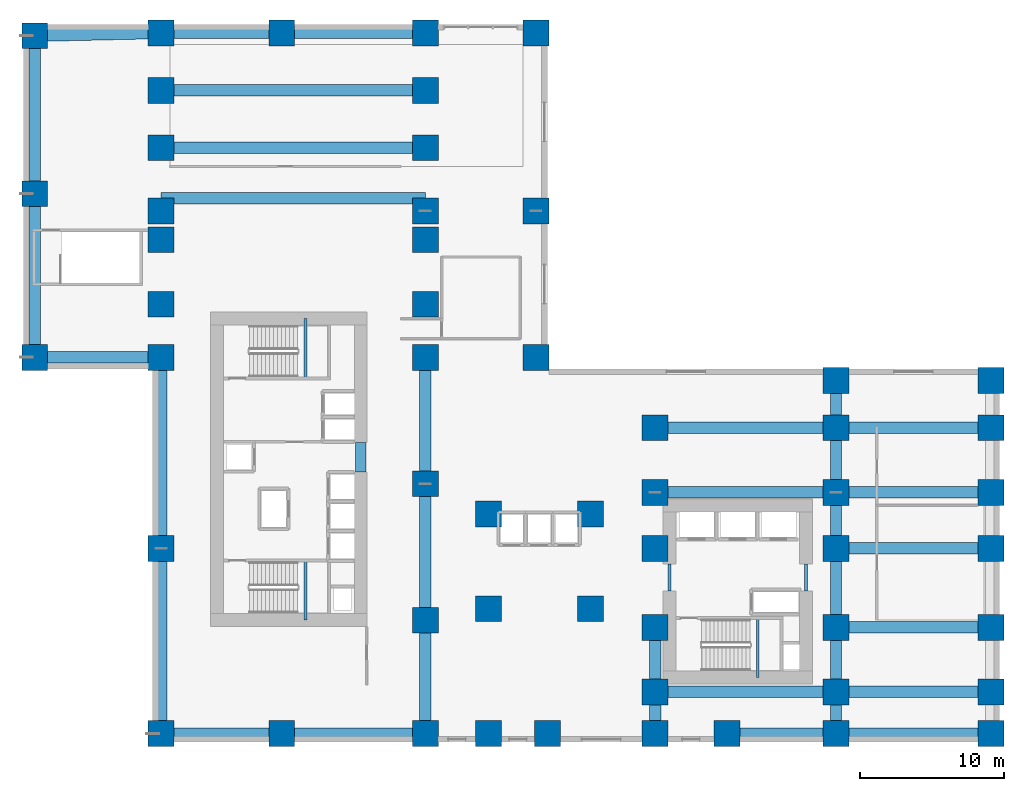
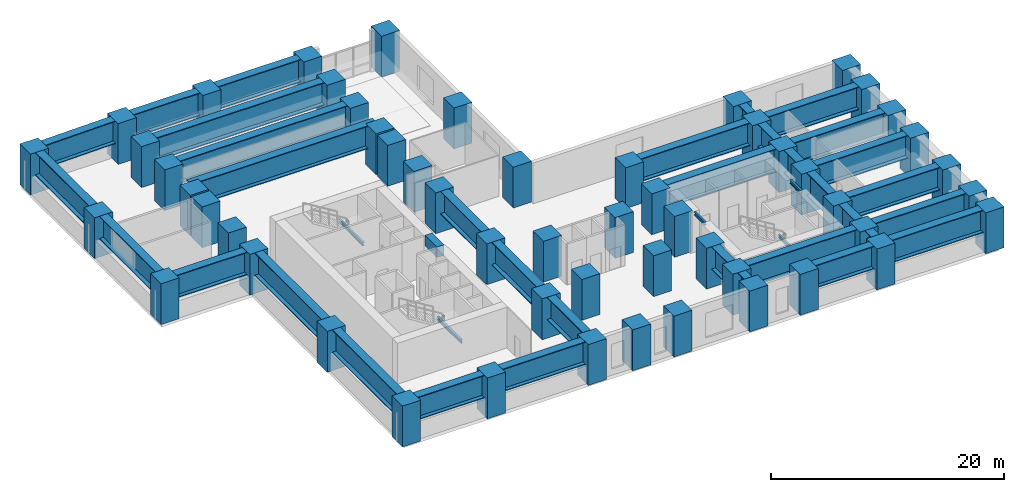
# One storey, part 1 of 12: 54 columns, 36 beams.
"""IFC4 building model written with IfcOpenShell, lengths in metres."""

import ifcopenshell
import ifcopenshell.guid

model = None  # the IFC model being written
_history = None  # IfcOwnerHistory: only IFC2X3 demands one
_inside = {}  # id of a spatial element -> (the spatial element, [elements in it])
_under = {}  # id of a project, library or spatial element -> (it, [spatial elements below it])
_declared = {}  # id of a project -> (the project, [libraries it declares])
_typed = {}  # id of a type object -> (the type object, [elements of that type])
_made_of = {}  # id of a material, layer set ... -> (it, [elements and type objects made of it])


def new_model(schema):
    """Start an empty IFC model of exactly this schema.

    Asked for "IFC4X3", IfcOpenShell would pick the latest addendum, in which some entities
    have other attributes; the version numbers below select the first issue.
    IFC2X3 requires an IfcOwnerHistory on every rooted entity: one is made here for all.
    """
    global model, _history
    if schema == "IFC4X3":
        model = ifcopenshell.file(schema_version=(4, 3, 0, 0))
    else:
        model = ifcopenshell.file(schema=schema)
    _inside.clear()
    _under.clear()
    _declared.clear()
    _typed.clear()
    _made_of.clear()
    _history = None
    if model.schema == "IFC2X3":
        org = make("IfcOrganization", Name="unknown")
        user = make(
            "IfcPersonAndOrganization",
            ThePerson=make("IfcPerson", FamilyName="unknown"),
            TheOrganization=org,
        )
        app = make(
            "IfcApplication",
            ApplicationDeveloper=org,
            Version="unknown",
            ApplicationFullName="unknown",
            ApplicationIdentifier="unknown",
        )
        _history = make(
            "IfcOwnerHistory",
            OwningUser=user,
            OwningApplication=app,
            ChangeAction="ADDED",
            CreationDate=0,
        )
    return model


def make(cls, **values):
    """One entity of the class cls with the attributes given. An attribute that is None is left unset."""
    return model.create_entity(
        cls, **{name: value for name, value in values.items() if value is not None}
    )


def rooted(cls, **values):
    """An entity with a GlobalId (a new one), such as an element, a storey or a relation."""
    return make(cls, GlobalId=ifcopenshell.guid.new(), OwnerHistory=_history, **values)


def si_unit(unit_type, name, prefix=None):
    """IfcSIUnit, for example si_unit("LENGTHUNIT", "METRE", prefix="MILLI")."""
    return make("IfcSIUnit", UnitType=unit_type, Prefix=prefix, Name=name)


def assignment(units):
    """IfcUnitAssignment: the units of a project."""
    return None if units is None else make("IfcUnitAssignment", Units=units)


def point(xyz):
    """IfcCartesianPoint."""
    return None if xyz is None else make("IfcCartesianPoint", Coordinates=xyz)


def direction(xyz):
    """IfcDirection."""
    return None if xyz is None else make("IfcDirection", DirectionRatios=xyz)


def frame(location, z_axis=None, x_axis=None):
    """IfcAxis2Placement3D, a coordinate frame: its origin and axes. An axis left out is left unset."""
    return make(
        "IfcAxis2Placement3D",
        Location=point(location),
        Axis=direction(z_axis),
        RefDirection=direction(x_axis),
    )


def frame_2d(location, x_axis=None):
    """IfcAxis2Placement2D, a coordinate frame in the plane: its origin and x axis."""
    return make(
        "IfcAxis2Placement2D", Location=point(location), RefDirection=direction(x_axis)
    )


def origin():
    """The frame at (0, 0, 0) with its axes left unset."""
    return frame((0.0, 0.0, 0.0))


def origin_2d():
    """The frame at (0, 0) in the plane with its x axis left unset."""
    return frame_2d((0.0, 0.0))


def place(relative_to, where):
    """IfcLocalPlacement: puts the frame where relative to a parent placement (None: the world)."""
    return make(
        "IfcLocalPlacement", PlacementRelTo=relative_to, RelativePlacement=where
    )


def context(
    kind, dimensions, precision=None, world=None, true_north=None, identifier=None
):
    """IfcGeometricRepresentationContext, for example the 3D "Model" context."""
    return make(
        "IfcGeometricRepresentationContext",
        ContextIdentifier=identifier,
        ContextType=kind,
        CoordinateSpaceDimension=dimensions,
        Precision=precision,
        WorldCoordinateSystem=world,
        TrueNorth=true_north,
    )


def subcontext(parent, identifier, kind, view, scale=None):
    """IfcGeometricRepresentationSubContext, for example "Body" below "Model"."""
    return make(
        "IfcGeometricRepresentationSubContext",
        ContextIdentifier=identifier,
        ContextType=kind,
        ParentContext=parent,
        TargetScale=scale,
        TargetView=view,
    )


def project(units=None, contexts=None):
    """IfcProject with its units and contexts."""
    return rooted(
        "IfcProject",
        Name="project",
        RepresentationContexts=contexts,
        UnitsInContext=assignment(units),
    )


def spatial(cls, under=None, at=None, **own):
    """A site, building, storey or space (cls), placed at a placement, below another one or the project."""
    s = rooted(cls, ObjectPlacement=at, **own)
    if under is not None:
        _under.setdefault(under.id(), (under, []))[1].append(s)
    return s


def profile(cls, at=None, kind="AREA", **sizes):
    """A parametric profile (cls). Its sizes go by their IFC names, for example OverallWidth=200.0."""
    return make(cls, ProfileType=kind, Position=at, **sizes)


def rectangle(**sizes):
    """IfcRectangleProfileDef."""
    return profile("IfcRectangleProfileDef", **sizes)


def i_section(**sizes):
    """IfcIShapeProfileDef."""
    return profile("IfcIShapeProfileDef", **sizes)


def extrude(swept, where, along, depth):
    """IfcExtrudedAreaSolid: the profile swept, set in the frame where, extruded along a direction by depth."""
    return make(
        "IfcExtrudedAreaSolid",
        SweptArea=swept,
        Position=where,
        ExtrudedDirection=direction(along),
        Depth=depth,
    )


def shape(context_of_items, identifier, shape_type, items):
    """IfcShapeRepresentation: the items that make up one representation, for example the "Body"."""
    return make(
        "IfcShapeRepresentation",
        ContextOfItems=context_of_items,
        RepresentationIdentifier=identifier,
        RepresentationType=shape_type,
        Items=items,
    )


def source(mapping_origin, context_of_items, identifier, shape_type, items):
    """IfcRepresentationMap: a shape defined once, which mapped items show again and again."""
    return make(
        "IfcRepresentationMap",
        MappingOrigin=mapping_origin,
        MappedRepresentation=shape(context_of_items, identifier, shape_type, items),
    )


def transform(
    local_origin,
    x_axis=None,
    y_axis=None,
    z_axis=None,
    scale=None,
    scale2=None,
    scale3=None,
    uniform=True,
):
    """IfcCartesianTransformationOperator3D, or its non-uniform kind. x_axis, y_axis, z_axis: its Axis1, 2, 3."""
    if uniform:
        return make(
            "IfcCartesianTransformationOperator3D",
            Axis1=direction(x_axis),
            Axis2=direction(y_axis),
            LocalOrigin=point(local_origin),
            Scale=scale,
            Axis3=direction(z_axis),
        )
    return make(
        "IfcCartesianTransformationOperator3DnonUniform",
        Axis1=direction(x_axis),
        Axis2=direction(y_axis),
        LocalOrigin=point(local_origin),
        Scale=scale,
        Axis3=direction(z_axis),
        Scale2=scale2,
        Scale3=scale3,
    )


def mapped(mapping_source, mapping_target):
    """IfcMappedItem: shows the shape of a source again, moved by a transform."""
    return make(
        "IfcMappedItem", MappingSource=mapping_source, MappingTarget=mapping_target
    )


def material(Name=None, Category=None):
    """IfcMaterial."""
    return make("IfcMaterial", Name=Name, Category=Category)


def material_profile(
    of_material, cross_section, Name=None, Category=None, Priority=None
):
    """IfcMaterialProfile: a cross section and its material."""
    return make(
        "IfcMaterialProfile",
        Name=Name,
        Material=of_material,
        Profile=cross_section,
        Priority=Priority,
        Category=Category,
    )


def profile_set(profiles, Name=None, composite=None):
    """IfcMaterialProfileSet."""
    return make(
        "IfcMaterialProfileSet",
        Name=Name,
        MaterialProfiles=profiles,
        CompositeProfile=composite,
    )


def made_of(thing, what):
    """Note that an element or type object is made of a material, layer set ...; save() writes the relation."""
    if what is not None:
        _made_of.setdefault(what.id(), (what, []))[1].append(thing)
    return thing


def type_object(cls, material=None, **own):
    """A type object (cls), such as IfcWallType, which elements share."""
    return made_of(rooted(cls, **own), material)


def element(
    cls,
    number,
    at=None,
    inside=None,
    cuts=None,
    type_object=None,
    material=None,
    context=None,
    identifier="Body",
    shape_type=None,
    held_by="IfcProductDefinitionShape",
    body=None,
    shapes=None,
    **own,
):
    """One element of the class cls, such as IfcWall. Its Tag is "e" and its number.

    at: its placement. inside: the storey or other place that contains it. cuts: it is an
    opening in that element (IfcRelVoidsElement). A single representation is given by context,
    identifier, shape_type and body (its items); several are given by shapes. held_by: the class
    of the entity that holds the representations. save() writes the other relations.
    """
    e = rooted(cls, Tag="e%d" % number, ObjectPlacement=at, **own)
    if body is not None:
        shapes = [shape(context, identifier, shape_type, body)]
    if shapes is not None:
        e.Representation = make(held_by, Representations=shapes)
    if inside is not None:
        _inside.setdefault(inside.id(), (inside, []))[1].append(e)
    if cuts is not None:
        rooted(
            "IfcRelVoidsElement", RelatingBuildingElement=cuts, RelatedOpeningElement=e
        )
    if type_object is not None:
        _typed.setdefault(type_object.id(), (type_object, []))[1].append(e)
    return made_of(e, material)


def aggregate(whole, parts):
    """IfcRelAggregates: a whole, such as a stair, and the parts it consists of."""
    return rooted("IfcRelAggregates", RelatingObject=whole, RelatedObjects=parts)


def save(model, path):
    """Write the relations noted so far, then the file.

    IfcRelAggregates (storeys below a building ...), IfcRelContainedInSpatialStructure (elements
    in a storey), IfcRelDefinesByType, IfcRelAssociatesMaterial and IfcRelDeclares: one each for
    every whole, place, type object, material and project.
    """
    for whole, parts in _under.values():
        aggregate(whole, parts)
    for where, things in _inside.values():
        rooted(
            "IfcRelContainedInSpatialStructure",
            RelatedElements=things,
            RelatingStructure=where,
        )
    for kind, things in _typed.values():
        rooted("IfcRelDefinesByType", RelatedObjects=things, RelatingType=kind)
    for what, things in _made_of.values():
        rooted("IfcRelAssociatesMaterial", RelatedObjects=things, RelatingMaterial=what)
    for by, libraries in _declared.values():
        rooted("IfcRelDeclares", RelatingContext=by, RelatedDefinitions=libraries)
    model.write(path)


model = new_model("IFC4")

# Units and contexts
model_context = context("Model", 3, precision=1e-05, world=origin(), true_north=direction((0.0, 1.0)))
body_context = subcontext(model_context, "Body", "Model", "MODEL_VIEW")
ifc_project = project(units=[si_unit("LENGTHUNIT", "METRE"), si_unit("AREAUNIT", "SQUARE_METRE"), si_unit("VOLUMEUNIT", "CUBIC_METRE"), si_unit("PLANEANGLEUNIT", "RADIAN"), si_unit("MASSUNIT", "GRAM", prefix="KILO")], contexts=[model_context])

# Site, building, storey
site_placement = place(None, origin())
site = spatial("IfcSite", under=ifc_project, at=site_placement, CompositionType="ELEMENT")
building_placement = place(site_placement, origin())
building = spatial("IfcBuilding", under=site, at=building_placement, Name="Kharzan Plaza Tower", CompositionType="ELEMENT")
storey_placement = place(building_placement, frame((0.0, 0.0, 18.0)))
storey = spatial("IfcBuildingStorey", under=building, at=storey_placement, Name="L04", CompositionType="ELEMENT", Elevation=18.0)

# Columns
ifc_material_1 = material(Name="Concrete C60/75", Category="concrete")
ifc_material_profile_1 = material_profile(ifc_material_1, rectangle(XDim=1.800048828125, YDim=1.800048828125, at=origin_2d()), Name="RC-MC1800x1800")
ifc_profile_set_1 = profile_set([ifc_material_profile_1], Name="Concrete C60/75")
column_type = type_object("IfcColumnType", Name="COL-MC1800", PredefinedType="COLUMN", material=ifc_profile_set_1)
shared_shape_1 = source(origin(), body_context, "Body", "SweptSolid", [
    extrude(rectangle(XDim=1.800048828125, YDim=1.800048828125, at=origin_2d()), origin(), (0.0, 0.0, 1.0), 4.280029296875),
])
for number, where, z_axis, x_axis, name in (
    (1, (-8.199951171875, 26.800048828125, 0.0), (0.0, 0.0, 1.0), (1.0, 0.0, 0.0), "L04 Podium Mega-Column MC01"),
    (2, (-8.199951171875, 38.199951171875, 0.0), (0.0, 0.0, 1.0), (1.0, 0.0, 0.0), "L04 Podium Mega-Column MC02"),
    (3, (-8.199951171875, 49.199951171875, 0.0), (0.0, 0.0, 1.0), (1.0, 0.0, 0.0), "L04 Podium Mega-Column MC03"),
    (4, (0.60009765625, 0.60009765625, 0.0), (0.0, 0.0, 1.0), (1.0, 0.0, 0.0), "L04 Podium Mega-Column MC04"),
    (5, (0.60009765625, 13.5, 0.0), (0.0, 0.0, 1.0), (1.0, 0.0, 0.0), "L04 Podium Mega-Column MC05"),
    (6, (0.60009765625, 26.800048828125, 0.0), (0.0, 0.0, 1.0), (1.0, 0.0, 0.0), "L04 Podium Mega-Column MC06"),
    (7, (0.60009765625, 30.5, 0.0), (0.0, 0.0, 1.0), (1.0, 0.0, 0.0), "L04 Podium Mega-Column MC07"),
    (8, (0.60009765625, 35.0, 0.0), (0.0, 0.0, 1.0), (1.0, 0.0, 0.0), "L04 Podium Mega-Column MC08"),
    (9, (0.60009765625, 37.0, 0.0), (0.0, 0.0, 1.0), (1.0, 0.0, 0.0), "L04 Podium Mega-Column MC09"),
    (10, (0.60009765625, 41.39990234375, 0.0), (0.0, 0.0, 1.0), (1.0, 0.0, 0.0), "L04 Podium Mega-Column MC10"),
    (11, (0.60009765625, 45.39990234375, 0.0), (0.0, 0.0, 1.0), (1.0, 0.0, 0.0), "L04 Podium Mega-Column MC11"),
    (12, (0.60009765625, 49.39990234375, 0.0), (0.0, 0.0, 1.0), (1.0, 0.0, 0.0), "L04 Podium Mega-Column MC12"),
    (13, (9.0, 0.60009765625, 0.0), (0.0, 0.0, 1.0), (1.0, 0.0, 0.0), "L04 Podium Mega-Column MC13"),
    (14, (19.0, 0.60009765625, 0.0), (0.0, 0.0, 1.0), (1.0, 0.0, 0.0), "L04 Podium Mega-Column MC14"),
    (15, (27.5, 0.60009765625, 0.0), (0.0, 0.0, 1.0), (1.0, 0.0, 0.0), "L04 Podium Mega-Column MC15"),
    (16, (35.0, 0.60009765625, 0.0), (0.0, 0.0, 1.0), (1.0, 0.0, 0.0), "L04 Podium Mega-Column MC16"),
    (17, (40.0, 0.60009765625, 0.0), (0.0, 0.0, 1.0), (1.0, 0.0, 0.0), "L04 Podium Mega-Column MC17"),
    (18, (47.60009765625, 0.60009765625, 0.0), (0.0, 0.0, 1.0), (1.0, 0.0, 0.0), "L04 Podium Mega-Column MC18"),
    (19, (58.39990234375, 0.60009765625, 0.0), (0.0, 0.0, 1.0), (1.0, 0.0, 0.0), "L04 Podium Mega-Column MC19"),
    (20, (9.0, 49.39990234375, 0.0), (0.0, 0.0, 1.0), (1.0, 0.0, 0.0), "L04 Podium Mega-Column MC20"),
    (21, (19.0, 49.39990234375, 0.0), (0.0, 0.0, 1.0), (1.0, 0.0, 0.0), "L04 Podium Mega-Column MC21"),
    (22, (26.699951171875, 49.39990234375, 0.0), (0.0, 0.0, 1.0), (1.0, 0.0, 0.0), "L04 Podium Mega-Column MC22"),
    (23, (26.699951171875, 26.800048828125, 0.0), (0.0, 0.0, 1.0), (1.0, 0.0, 0.0), "L04 Podium Mega-Column MC23"),
    (24, (26.699951171875, 37.0, 0.0), (0.0, 0.0, 1.0), (1.0, 0.0, 0.0), "L04 Podium Mega-Column MC24"),
    (25, (58.39990234375, 3.5, 0.0), (0.0, 0.0, 1.0), (1.0, 0.0, 0.0), "L04 Podium Mega-Column MC25"),
    (26, (58.39990234375, 8.0, 0.0), (0.0, 0.0, 1.0), (1.0, 0.0, 0.0), "L04 Podium Mega-Column MC26"),
    (27, (58.39990234375, 13.5, 0.0), (0.0, 0.0, 1.0), (1.0, 0.0, 0.0), "L04 Podium Mega-Column MC27"),
    (28, (58.39990234375, 17.39990234375, 0.0), (0.0, 0.0, 1.0), (1.0, 0.0, 0.0), "L04 Podium Mega-Column MC28"),
    (29, (58.39990234375, 21.89990234375, 0.0), (0.0, 0.0, 1.0), (1.0, 0.0, 0.0), "L04 Podium Mega-Column MC29"),
    (30, (58.39990234375, 25.199951171875, 0.0), (0.0, 0.0, 1.0), (1.0, 0.0, 0.0), "L04 Podium Mega-Column MC30"),
    (31, (47.60009765625, 3.5, 0.0), (0.0, 0.0, 1.0), (1.0, 0.0, 0.0), "L04 Podium Mega-Column MC31"),
    (32, (47.60009765625, 8.0, 0.0), (0.0, 0.0, 1.0), (1.0, 0.0, 0.0), "L04 Podium Mega-Column MC32"),
    (33, (47.60009765625, 13.5, 0.0), (0.0, 0.0, 1.0), (1.0, 0.0, 0.0), "L04 Podium Mega-Column MC33"),
    (34, (47.60009765625, 17.39990234375, 0.0), (0.0, 0.0, 1.0), (1.0, 0.0, 0.0), "L04 Podium Mega-Column MC34"),
    (35, (47.60009765625, 21.89990234375, 0.0), (0.0, 0.0, 1.0), (1.0, 0.0, 0.0), "L04 Podium Mega-Column MC35"),
    (36, (47.60009765625, 25.199951171875, 0.0), (0.0, 0.0, 1.0), (1.0, 0.0, 0.0), "L04 Podium Mega-Column MC36"),
    (37, (19.0, 8.5, 0.0), (0.0, 0.0, 1.0), (1.0, 0.0, 0.0), "L04 Podium Mega-Column MC37"),
    (38, (19.0, 18.0, 0.0), (0.0, 0.0, 1.0), (1.0, 0.0, 0.0), "L04 Podium Mega-Column MC38"),
    (39, (19.0, 26.800048828125, 0.0), (0.0, 0.0, 1.0), (1.0, 0.0, 0.0), "L04 Podium Mega-Column MC39"),
    (40, (19.0, 30.5, 0.0), (0.0, 0.0, 1.0), (1.0, 0.0, 0.0), "L04 Podium Mega-Column MC40"),
    (41, (19.0, 35.0, 0.0), (0.0, 0.0, 1.0), (1.0, 0.0, 0.0), "L04 Podium Mega-Column MC41"),
    (42, (19.0, 37.0, 0.0), (0.0, 0.0, 1.0), (1.0, 0.0, 0.0), "L04 Podium Mega-Column MC42"),
    (43, (19.0, 41.39990234375, 0.0), (0.0, 0.0, 1.0), (1.0, 0.0, 0.0), "L04 Podium Mega-Column MC43"),
    (44, (19.0, 45.39990234375, 0.0), (0.0, 0.0, 1.0), (1.0, 0.0, 0.0), "L04 Podium Mega-Column MC44"),
    (45, (35.0, 3.5, 0.0), (0.0, 0.0, 1.0), (1.0, 0.0, 0.0), "L04 Podium Mega-Column MC45"),
    (46, (35.0, 8.0, 0.0), (0.0, 0.0, 1.0), (1.0, 0.0, 0.0), "L04 Podium Mega-Column MC46"),
    (47, (35.0, 13.5, 0.0), (0.0, 0.0, 1.0), (1.0, 0.0, 0.0), "L04 Podium Mega-Column MC47"),
    (48, (35.0, 17.39990234375, 0.0), (0.0, 0.0, 1.0), (1.0, 0.0, 0.0), "L04 Podium Mega-Column MC48"),
    (49, (35.0, 21.89990234375, 0.0), (0.0, 0.0, 1.0), (1.0, 0.0, 0.0), "L04 Podium Mega-Column MC49"),
    (50, (23.39990234375, 0.60009765625, 0.0), (0.0, 0.0, 1.0), (1.0, 0.0, 0.0), "L04 Podium Mega-Column MC50"),
    (51, (23.39990234375, 9.300048828125, 0.0), (0.0, 0.0, 1.0), (1.0, 0.0, 0.0), "L04 Podium Mega-Column MC51"),
    (52, (30.5, 9.300048828125, 0.0), (0.0, 0.0, 1.0), (1.0, 0.0, 0.0), "L04 Podium Mega-Column MC52"),
    (53, (23.39990234375, 15.89990234375, 0.0), (0.0, 0.0, 1.0), (1.0, 0.0, 0.0), "L04 Podium Mega-Column MC53"),
    (54, (30.5, 15.89990234375, 0.0), (0.0, 0.0, 1.0), (1.0, 0.0, 0.0), "L04 Podium Mega-Column MC54"),
):
    element("IfcColumn", number, at=place(storey_placement, frame(where, z_axis=z_axis, x_axis=x_axis)), inside=storey, type_object=column_type, Name=name, PredefinedType="COLUMN", context=body_context, shape_type="MappedRepresentation", body=[
        mapped(shared_shape_1, transform((0.0, 0.0, 0.0), x_axis=(1.0, 0.0, 0.0), y_axis=(0.0, 1.0, 0.0), z_axis=(0.0, 0.0, 1.0))),
    ])

# Beams
ifc_material_profile_2 = material_profile(ifc_material_1, rectangle(XDim=0.699951171875, YDim=1.10009765625, at=origin_2d()), Name="RC-CB1100x700")
ifc_profile_set_2 = profile_set([ifc_material_profile_2], Name="Concrete C60/75")
beam_type_1 = type_object("IfcBeamType", Name="BM-RCCB1100", PredefinedType="LINTEL", material=ifc_profile_set_2)
shared_shape_2 = source(origin(), body_context, "Body", "SweptSolid", [
    extrude(rectangle(XDim=0.699951171875, YDim=1.10009765625, at=origin_2d()), origin(), (0.0, 0.0, 1.0), 2.059814453125),
])
beam_1_placement = place(storey_placement, frame((14.5, 18.820068359375, 3.72998046875), z_axis=(0.0, 1.0, 0.0), x_axis=(-1.0, 0.0, 0.0)))
element("IfcBeam", 55, at=beam_1_placement, inside=storey, type_object=beam_type_1, Name="L04 CORE-A RC coupling beam CB1", PredefinedType="LINTEL", context=body_context, shape_type="MappedRepresentation", body=[
    mapped(shared_shape_2, transform((0.0, 0.0, 0.0), x_axis=(1.0, 0.0, 0.0), y_axis=(0.0, 1.0, 0.0), z_axis=(0.0, 0.0, 1.0))),
])
ifc_material_2 = material(Name="Steel S355", Category="steel")
ifc_material_profile_3 = material_profile(ifc_material_2, i_section(OverallWidth=0.205078125, OverallDepth=0.35400390625, WebThickness=0.009521484375, FlangeThickness=0.016845703125, at=origin_2d()), Name="W360x79")
ifc_profile_set_3 = profile_set([ifc_material_profile_3], Name="Steel S355")
beam_type_2 = type_object("IfcBeamType", Name="BM-LNT360", PredefinedType="LINTEL", material=ifc_profile_set_3)
shared_shape_3 = source(origin(), body_context, "Body", "SweptSolid", [
    extrude(i_section(OverallWidth=0.205078125, OverallDepth=0.35400390625, WebThickness=0.009521484375, FlangeThickness=0.016845703125, at=origin_2d()), origin(), (0.0, 0.0, 1.0), 1.849853515625),
])
for number, where, z_axis, x_axis, name in (
    (56, (45.5, 10.550048828125, 4.10302734375), (0.0, 1.0, 0.0), (-1.0, 0.0, 0.0), "L04 CORE-B coupling lintel LN1-WE"),
    (57, (36.0, 10.550048828125, 4.10302734375), (0.0, 1.0, 0.0), (-1.0, 0.0, 0.0), "L04 CORE-B coupling lintel LN1-WW"),
):
    element("IfcBeam", number, at=place(storey_placement, frame(where, z_axis=z_axis, x_axis=x_axis)), inside=storey, type_object=beam_type_2, Name=name, PredefinedType="LINTEL", context=body_context, shape_type="MappedRepresentation", body=[
        mapped(shared_shape_3, transform((0.0, 0.0, 0.0), x_axis=(1.0, 0.0, 0.0), y_axis=(0.0, 1.0, 0.0), z_axis=(0.0, 0.0, 1.0))),
    ])
shared_shape_4 = source(origin(), body_context, "Body", "SweptSolid", [
    extrude(i_section(OverallWidth=0.205078125, OverallDepth=0.35400390625, WebThickness=0.009521484375, FlangeThickness=0.016845703125, at=origin_2d()), origin(), (0.0, 0.0, 1.0), 4.155029296875),
])
for number, where, z_axis, x_axis, name in (
    (58, (10.64990234375, 8.5, 1.873046875), (0.0, 1.0, 0.0), (-1.0, 0.0, 0.0), "L04 Stair ST-1 Half-Landing Beam"),
    (59, (10.64990234375, 25.344970703125, 1.873046875), (0.0, 1.0, 0.0), (-1.0, 0.0, 0.0), "L04 Stair ST-2 Half-Landing Beam"),
    (60, (42.14990234375, 4.5, 1.873046875), (0.0, 1.0, 0.0), (-1.0, 0.0, 0.0), "L04 Stair ST-3 Half-Landing Beam"),
):
    element("IfcBeam", number, at=place(storey_placement, frame(where, z_axis=z_axis, x_axis=x_axis)), inside=storey, type_object=beam_type_2, Name=name, PredefinedType="LINTEL", context=body_context, shape_type="MappedRepresentation", body=[
        mapped(shared_shape_4, transform((0.0, 0.0, 0.0), x_axis=(1.0, 0.0, 0.0), y_axis=(0.0, 1.0, 0.0), z_axis=(0.0, 0.0, 1.0))),
    ])
ifc_material_profile_4 = material_profile(ifc_material_2, i_section(OverallWidth=0.800048828125, OverallDepth=2.39990234375, WebThickness=0.0400390625, FlangeThickness=0.070068359375, at=origin_2d()), Name="PG2400x800")
ifc_profile_set_4 = profile_set([ifc_material_profile_4], Name="Steel S355")
beam_type_3 = type_object("IfcBeamType", Name="BM-TG2400", PredefinedType="BEAM", material=ifc_profile_set_4)
shared_shape_5 = source(origin(), body_context, "Body", "SweptSolid", [
    extrude(i_section(OverallWidth=0.800048828125, OverallDepth=2.39990234375, WebThickness=0.0400390625, FlangeThickness=0.070068359375, at=origin_2d()), origin(), (0.0, 0.0, 1.0), 7.89990234375),
])
beam_2_placement = place(storey_placement, frame((19.0, 0.60009765625, 3.080078125), z_axis=(0.0, 1.0, 0.0), x_axis=(-1.0, 0.0, 0.0)))
element("IfcBeam", 61, at=beam_2_placement, inside=storey, type_object=beam_type_3, Name="L04 L04 Composite Transfer Girder TG-A1", PredefinedType="BEAM", context=body_context, shape_type="MappedRepresentation", body=[
    mapped(shared_shape_5, transform((0.0, 0.0, 0.0), x_axis=(1.0, 0.0, 0.0), y_axis=(0.0, 1.0, 0.0), z_axis=(0.0, 0.0, 1.0))),
])
shared_shape_6 = source(origin(), body_context, "Body", "SweptSolid", [
    extrude(i_section(OverallWidth=0.800048828125, OverallDepth=2.39990234375, WebThickness=0.0400390625, FlangeThickness=0.070068359375, at=origin_2d()), origin(), (0.0, 0.0, 1.0), 9.5),
])
beam_3_placement = place(storey_placement, frame((19.0, 8.5, 3.080078125), z_axis=(0.0, 1.0, 0.0), x_axis=(-1.0, 0.0, 0.0)))
element("IfcBeam", 62, at=beam_3_placement, inside=storey, type_object=beam_type_3, Name="L04 L04 Composite Transfer Girder TG-A2", PredefinedType="BEAM", context=body_context, shape_type="MappedRepresentation", body=[
    mapped(shared_shape_6, transform((0.0, 0.0, 0.0), x_axis=(1.0, 0.0, 0.0), y_axis=(0.0, 1.0, 0.0), z_axis=(0.0, 0.0, 1.0))),
])
shared_shape_7 = source(origin(), body_context, "Body", "SweptSolid", [
    extrude(i_section(OverallWidth=0.800048828125, OverallDepth=2.39990234375, WebThickness=0.0400390625, FlangeThickness=0.070068359375, at=origin_2d()), origin(), (0.0, 0.0, 1.0), 8.800048828125),
])
for number, where, z_axis, x_axis, name in (
    (63, (19.0, 18.0, 3.080078125), (0.0, 1.0, 0.0), (-1.0, 0.0, 0.0), "L04 L04 Composite Transfer Girder TG-A3"),
    (64, (-8.199951171875, 26.800048828125, 3.030029296875), (1.0, 0.0, 0.0), (0.0, 1.0, 0.0), "L04 L04 Composite Transfer Girder TG-WPS"),
):
    element("IfcBeam", number, at=place(storey_placement, frame(where, z_axis=z_axis, x_axis=x_axis)), inside=storey, type_object=beam_type_3, Name=name, PredefinedType="BEAM", context=body_context, shape_type="MappedRepresentation", body=[
        mapped(shared_shape_7, transform((0.0, 0.0, 0.0), x_axis=(1.0, 0.0, 0.0), y_axis=(0.0, 1.0, 0.0), z_axis=(0.0, 0.0, 1.0))),
    ])
shared_shape_8 = source(origin(), body_context, "Body", "SweptSolid", [
    extrude(i_section(OverallWidth=0.800048828125, OverallDepth=2.39990234375, WebThickness=0.0400390625, FlangeThickness=0.070068359375, at=origin_2d()), origin(), (0.0, 0.0, 1.0), 7.39990234375),
])
for number, where, z_axis, x_axis, name in (
    (65, (35.0, 0.60009765625, 3.080078125), (0.0, 1.0, 0.0), (-1.0, 0.0, 0.0), "L04 L04 Composite Transfer Girder TG-B1"),
    (66, (47.60009765625, 0.60009765625, 3.080078125), (0.0, 1.0, 0.0), (-1.0, 0.0, 0.0), "L04 L04 Composite Transfer Girder TG-BI1"),
):
    element("IfcBeam", number, at=place(storey_placement, frame(where, z_axis=z_axis, x_axis=x_axis)), inside=storey, type_object=beam_type_3, Name=name, PredefinedType="BEAM", context=body_context, shape_type="MappedRepresentation", body=[
        mapped(shared_shape_8, transform((0.0, 0.0, 0.0), x_axis=(1.0, 0.0, 0.0), y_axis=(0.0, 1.0, 0.0), z_axis=(0.0, 0.0, 1.0))),
    ])
shared_shape_9 = source(origin(), body_context, "Body", "SweptSolid", [
    extrude(i_section(OverallWidth=0.800048828125, OverallDepth=2.39990234375, WebThickness=0.0400390625, FlangeThickness=0.070068359375, at=origin_2d()), origin(), (0.0, 0.0, 1.0), 9.39990234375),
])
beam_4_placement = place(storey_placement, frame((47.60009765625, 8.0, 3.080078125), z_axis=(0.0, 1.0, 0.0), x_axis=(-1.0, 0.0, 0.0)))
element("IfcBeam", 67, at=beam_4_placement, inside=storey, type_object=beam_type_3, Name="L04 L04 Composite Transfer Girder TG-BI2", PredefinedType="BEAM", context=body_context, shape_type="MappedRepresentation", body=[
    mapped(shared_shape_9, transform((0.0, 0.0, 0.0), x_axis=(1.0, 0.0, 0.0), y_axis=(0.0, 1.0, 0.0), z_axis=(0.0, 0.0, 1.0))),
])
shared_shape_10 = source(origin(), body_context, "Body", "SweptSolid", [
    extrude(i_section(OverallWidth=0.800048828125, OverallDepth=2.39990234375, WebThickness=0.0400390625, FlangeThickness=0.070068359375, at=origin_2d()), origin(), (0.0, 0.0, 1.0), 7.800048828125),
])
beam_5_placement = place(storey_placement, frame((47.60009765625, 17.39990234375, 3.080078125), z_axis=(0.0, 1.0, 0.0), x_axis=(-1.0, 0.0, 0.0)))
element("IfcBeam", 68, at=beam_5_placement, inside=storey, type_object=beam_type_3, Name="L04 L04 Composite Transfer Girder TG-BI3", PredefinedType="BEAM", context=body_context, shape_type="MappedRepresentation", body=[
    mapped(shared_shape_10, transform((0.0, 0.0, 0.0), x_axis=(1.0, 0.0, 0.0), y_axis=(0.0, 1.0, 0.0), z_axis=(0.0, 0.0, 1.0))),
])
shared_shape_11 = source(origin(), body_context, "Body", "SweptSolid", [
    extrude(i_section(OverallWidth=0.800048828125, OverallDepth=2.39990234375, WebThickness=0.0400390625, FlangeThickness=0.070068359375, at=origin_2d()), origin(), (0.0, 0.0, 1.0), 12.60009765625),
])
for number, where, z_axis, x_axis, name in (
    (69, (35.0, 3.5, 3.080078125), (1.0, 0.0, 0.0), (0.0, 1.0, 0.0), "L04 L04 Composite Transfer Girder TG-BN03"),
    (70, (35.0, 17.39990234375, 3.080078125), (1.0, 0.0, 0.0), (0.0, 1.0, 0.0), "L04 L04 Composite Transfer Girder TG-BN17A"),
    (71, (35.0, 21.89990234375, 3.080078125), (1.0, 0.0, 0.0), (0.0, 1.0, 0.0), "L04 L04 Composite Transfer Girder TG-BN22A"),
):
    element("IfcBeam", number, at=place(storey_placement, frame(where, z_axis=z_axis, x_axis=x_axis)), inside=storey, type_object=beam_type_3, Name=name, PredefinedType="BEAM", context=body_context, shape_type="MappedRepresentation", body=[
        mapped(shared_shape_11, transform((0.0, 0.0, 0.0), x_axis=(1.0, 0.0, 0.0), y_axis=(0.0, 1.0, 0.0), z_axis=(0.0, 0.0, 1.0))),
    ])
shared_shape_12 = source(origin(), body_context, "Body", "SweptSolid", [
    extrude(i_section(OverallWidth=0.800048828125, OverallDepth=2.39990234375, WebThickness=0.0400390625, FlangeThickness=0.070068359375, at=origin_2d()), origin(), (0.0, 0.0, 1.0), 10.7998046875),
])
for number, where, z_axis, x_axis, name in (
    (72, (47.60009765625, 3.5, 3.080078125), (1.0, 0.0, 0.0), (0.0, 1.0, 0.0), "L04 L04 Composite Transfer Girder TG-BN03B"),
    (73, (47.60009765625, 8.0, 3.080078125), (1.0, 0.0, 0.0), (0.0, 1.0, 0.0), "L04 L04 Composite Transfer Girder TG-BN08"),
    (74, (47.60009765625, 13.5, 3.080078125), (1.0, 0.0, 0.0), (0.0, 1.0, 0.0), "L04 L04 Composite Transfer Girder TG-BN13"),
    (75, (47.60009765625, 17.39990234375, 3.080078125), (1.0, 0.0, 0.0), (0.0, 1.0, 0.0), "L04 L04 Composite Transfer Girder TG-BN17B"),
    (76, (47.60009765625, 21.89990234375, 3.080078125), (1.0, 0.0, 0.0), (0.0, 1.0, 0.0), "L04 L04 Composite Transfer Girder TG-BN22B"),
    (77, (47.60009765625, 0.60009765625, 3.080078125), (1.0, 0.0, 0.0), (0.0, 1.0, 0.0), "L04 L04 Composite Transfer Girder TG-S4"),
):
    element("IfcBeam", number, at=place(storey_placement, frame(where, z_axis=z_axis, x_axis=x_axis)), inside=storey, type_object=beam_type_3, Name=name, PredefinedType="BEAM", context=body_context, shape_type="MappedRepresentation", body=[
        mapped(shared_shape_12, transform((0.0, 0.0, 0.0), x_axis=(1.0, 0.0, 0.0), y_axis=(0.0, 1.0, 0.0), z_axis=(0.0, 0.0, 1.0))),
    ])
shared_shape_13 = source(origin(), body_context, "Body", "SweptSolid", [
    extrude(i_section(OverallWidth=0.800048828125, OverallDepth=2.39990234375, WebThickness=0.0400390625, FlangeThickness=0.070068359375, at=origin_2d()), origin(), (0.0, 0.0, 1.0), 18.39990234375),
])
for number, where, z_axis, x_axis, name in (
    (78, (0.60009765625, 37.89990234375, 3.080078125), (1.0, 0.0, 0.0), (0.0, 1.0, 0.0), "L04 L04 Composite Transfer Girder TG-N38"),
    (79, (0.60009765625, 41.39990234375, 3.080078125), (1.0, 0.0, 0.0), (0.0, 1.0, 0.0), "L04 L04 Composite Transfer Girder TG-N41"),
    (80, (0.60009765625, 45.39990234375, 3.080078125), (1.0, 0.0, 0.0), (0.0, 1.0, 0.0), "L04 L04 Composite Transfer Girder TG-N45"),
):
    element("IfcBeam", number, at=place(storey_placement, frame(where, z_axis=z_axis, x_axis=x_axis)), inside=storey, type_object=beam_type_3, Name=name, PredefinedType="BEAM", context=body_context, shape_type="MappedRepresentation", body=[
        mapped(shared_shape_13, transform((0.0, 0.0, 0.0), x_axis=(1.0, 0.0, 0.0), y_axis=(0.0, 1.0, 0.0), z_axis=(0.0, 0.0, 1.0))),
    ])
shared_shape_14 = source(origin(), body_context, "Body", "SweptSolid", [
    extrude(i_section(OverallWidth=0.800048828125, OverallDepth=2.39990234375, WebThickness=0.0400390625, FlangeThickness=0.070068359375, at=origin_2d()), origin(), (0.0, 0.0, 1.0), 8.39990234375),
])
for number, where, z_axis, x_axis, name in (
    (81, (0.60009765625, 49.39990234375, 3.080078125), (1.0, 0.0, 0.0), (0.0, 1.0, 0.0), "L04 L04 Composite Transfer Girder TG-N49A"),
    (82, (0.60009765625, 0.60009765625, 3.080078125), (1.0, 0.0, 0.0), (0.0, 1.0, 0.0), "L04 L04 Composite Transfer Girder TG-S1"),
):
    element("IfcBeam", number, at=place(storey_placement, frame(where, z_axis=z_axis, x_axis=x_axis)), inside=storey, type_object=beam_type_3, Name=name, PredefinedType="BEAM", context=body_context, shape_type="MappedRepresentation", body=[
        mapped(shared_shape_14, transform((0.0, 0.0, 0.0), x_axis=(1.0, 0.0, 0.0), y_axis=(0.0, 1.0, 0.0), z_axis=(0.0, 0.0, 1.0))),
    ])
shared_shape_15 = source(origin(), body_context, "Body", "SweptSolid", [
    extrude(i_section(OverallWidth=0.800048828125, OverallDepth=2.39990234375, WebThickness=0.0400390625, FlangeThickness=0.070068359375, at=origin_2d()), origin(), (0.0, 0.0, 1.0), 10.0),
])
for number, where, z_axis, x_axis, name in (
    (83, (9.0, 49.39990234375, 3.080078125), (1.0, 0.0, 0.0), (0.0, 1.0, 0.0), "L04 L04 Composite Transfer Girder TG-N49B"),
    (84, (9.0, 0.60009765625, 3.080078125), (1.0, 0.0, 0.0), (0.0, 1.0, 0.0), "L04 L04 Composite Transfer Girder TG-S2"),
):
    element("IfcBeam", number, at=place(storey_placement, frame(where, z_axis=z_axis, x_axis=x_axis)), inside=storey, type_object=beam_type_3, Name=name, PredefinedType="BEAM", context=body_context, shape_type="MappedRepresentation", body=[
        mapped(shared_shape_15, transform((0.0, 0.0, 0.0), x_axis=(1.0, 0.0, 0.0), y_axis=(0.0, 1.0, 0.0), z_axis=(0.0, 0.0, 1.0))),
    ])
shared_shape_16 = source(origin(), body_context, "Body", "SweptSolid", [
    extrude(i_section(OverallWidth=0.800048828125, OverallDepth=2.39990234375, WebThickness=0.0400390625, FlangeThickness=0.070068359375, at=origin_2d()), origin(), (0.0, 0.0, 1.0), 7.60009765625),
])
beam_6_placement = place(storey_placement, frame((40.0, 0.60009765625, 3.080078125), z_axis=(1.0, 0.0, 0.0), x_axis=(0.0, 1.0, 0.0)))
element("IfcBeam", 85, at=beam_6_placement, inside=storey, type_object=beam_type_3, Name="L04 L04 Composite Transfer Girder TG-S3B", PredefinedType="BEAM", context=body_context, shape_type="MappedRepresentation", body=[
    mapped(shared_shape_16, transform((0.0, 0.0, 0.0), x_axis=(1.0, 0.0, 0.0), y_axis=(0.0, 1.0, 0.0), z_axis=(0.0, 0.0, 1.0))),
])
shared_shape_17 = source(origin(), body_context, "Body", "SweptSolid", [
    extrude(i_section(OverallWidth=0.800048828125, OverallDepth=2.39990234375, WebThickness=0.0400390625, FlangeThickness=0.070068359375, at=origin_2d()), origin(), (0.0, 0.0, 1.0), 12.89990234375),
])
beam_7_placement = place(storey_placement, frame((0.60009765625, 0.60009765625, 3.080078125), z_axis=(0.0, 1.0, 0.0), x_axis=(-1.0, 0.0, 0.0)))
element("IfcBeam", 86, at=beam_7_placement, inside=storey, type_object=beam_type_3, Name="L04 L04 Composite Transfer Girder TG-W1", PredefinedType="BEAM", context=body_context, shape_type="MappedRepresentation", body=[
    mapped(shared_shape_17, transform((0.0, 0.0, 0.0), x_axis=(1.0, 0.0, 0.0), y_axis=(0.0, 1.0, 0.0), z_axis=(0.0, 0.0, 1.0))),
])
shared_shape_18 = source(origin(), body_context, "Body", "SweptSolid", [
    extrude(i_section(OverallWidth=0.800048828125, OverallDepth=2.39990234375, WebThickness=0.0400390625, FlangeThickness=0.070068359375, at=origin_2d()), origin(), (0.0, 0.0, 1.0), 13.300048828125),
])
beam_8_placement = place(storey_placement, frame((0.60009765625, 13.5, 3.080078125), z_axis=(0.0, 1.0, 0.0), x_axis=(-1.0, 0.0, 0.0)))
element("IfcBeam", 87, at=beam_8_placement, inside=storey, type_object=beam_type_3, Name="L04 L04 Composite Transfer Girder TG-W2", PredefinedType="BEAM", context=body_context, shape_type="MappedRepresentation", body=[
    mapped(shared_shape_18, transform((0.0, 0.0, 0.0), x_axis=(1.0, 0.0, 0.0), y_axis=(0.0, 1.0, 0.0), z_axis=(0.0, 0.0, 1.0))),
])
shared_shape_19 = source(origin(), body_context, "Body", "SweptSolid", [
    extrude(i_section(OverallWidth=0.800048828125, OverallDepth=2.39990234375, WebThickness=0.0400390625, FlangeThickness=0.070068359375, at=origin_2d()), origin(), (0.0, 0.0, 1.0), 8.80224609375),
])
beam_9_placement = place(storey_placement, frame((-8.199951171875, 49.199951171875, 3.080078125), z_axis=(0.9997419644, 0.022715735021, 0.0), x_axis=(-0.022715735021, 0.9997419644, 0.0)))
element("IfcBeam", 88, at=beam_9_placement, inside=storey, type_object=beam_type_3, Name="L04 L04 Composite Transfer Girder TG-WPN", PredefinedType="BEAM", context=body_context, shape_type="MappedRepresentation", body=[
    mapped(shared_shape_19, transform((0.0, 0.0, 0.0), x_axis=(1.0, 0.0, 0.0), y_axis=(0.0, 1.0, 0.0), z_axis=(0.0, 0.0, 1.0))),
])
shared_shape_20 = source(origin(), body_context, "Body", "SweptSolid", [
    extrude(i_section(OverallWidth=0.800048828125, OverallDepth=2.39990234375, WebThickness=0.0400390625, FlangeThickness=0.070068359375, at=origin_2d()), origin(), (0.0, 0.0, 1.0), 11.39990234375),
])
beam_10_placement = place(storey_placement, frame((-8.199951171875, 26.800048828125, 3.080078125), z_axis=(0.0, 1.0, 0.0), x_axis=(-1.0, 0.0, 0.0)))
element("IfcBeam", 89, at=beam_10_placement, inside=storey, type_object=beam_type_3, Name="L04 L04 Composite Transfer Girder TG-WPW1", PredefinedType="BEAM", context=body_context, shape_type="MappedRepresentation", body=[
    mapped(shared_shape_20, transform((0.0, 0.0, 0.0), x_axis=(1.0, 0.0, 0.0), y_axis=(0.0, 1.0, 0.0), z_axis=(0.0, 0.0, 1.0))),
])
shared_shape_21 = source(origin(), body_context, "Body", "SweptSolid", [
    extrude(i_section(OverallWidth=0.800048828125, OverallDepth=2.39990234375, WebThickness=0.0400390625, FlangeThickness=0.070068359375, at=origin_2d()), origin(), (0.0, 0.0, 1.0), 11.0),
])
beam_11_placement = place(storey_placement, frame((-8.199951171875, 38.199951171875, 3.080078125), z_axis=(0.0, 1.0, 0.0), x_axis=(-1.0, 0.0, 0.0)))
element("IfcBeam", 90, at=beam_11_placement, inside=storey, type_object=beam_type_3, Name="L04 L04 Composite Transfer Girder TG-WPW2", PredefinedType="BEAM", context=body_context, shape_type="MappedRepresentation", body=[
    mapped(shared_shape_21, transform((0.0, 0.0, 0.0), x_axis=(1.0, 0.0, 0.0), y_axis=(0.0, 1.0, 0.0), z_axis=(0.0, 0.0, 1.0))),
])

save(model, "model.ifc")
